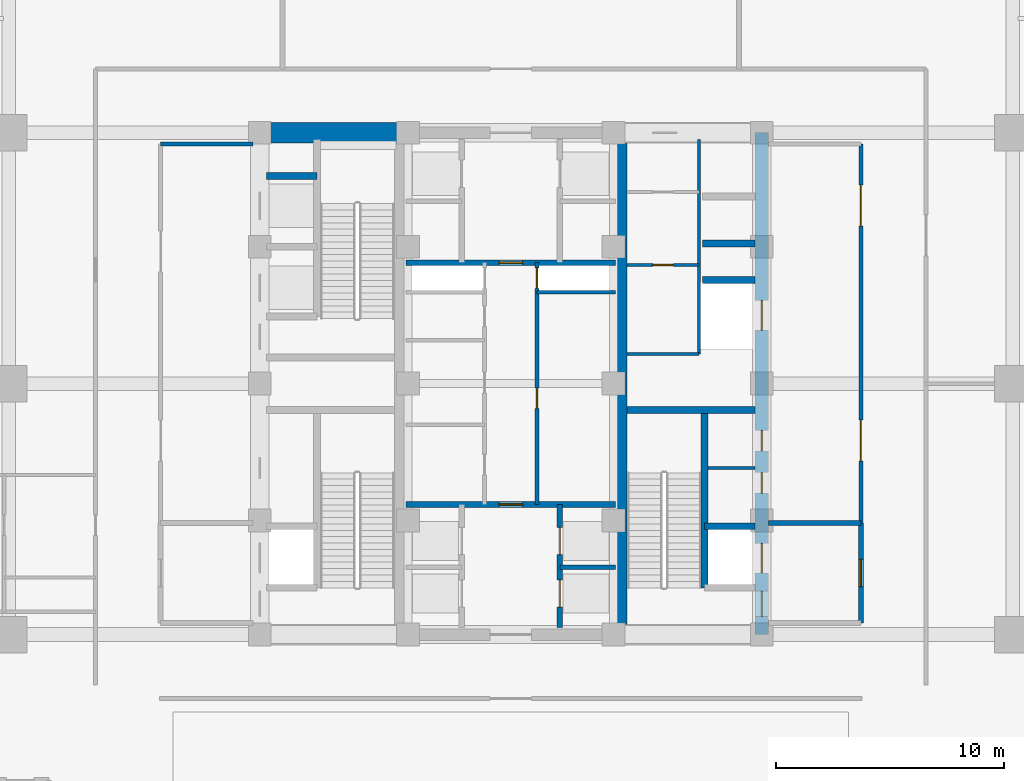
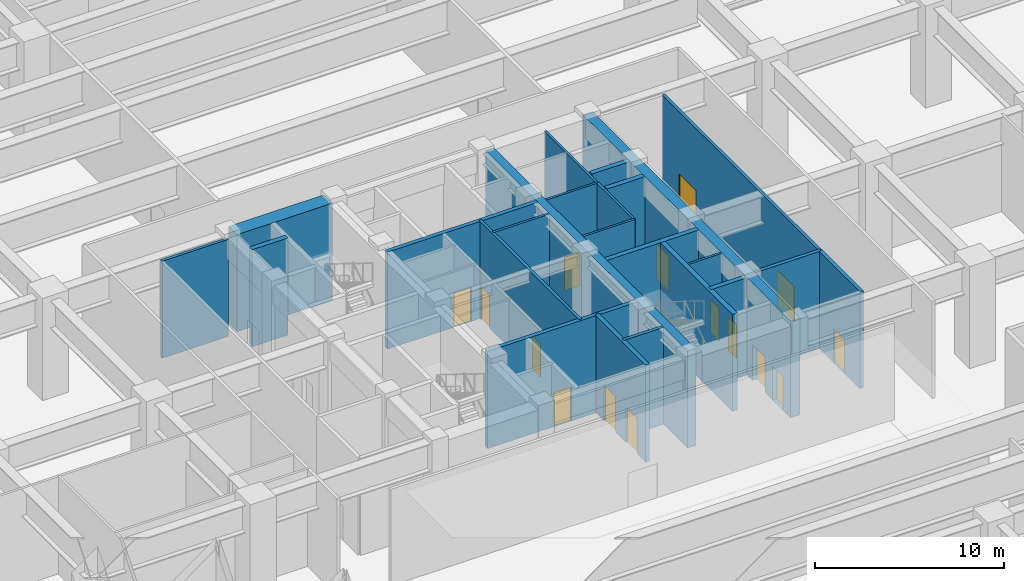
# One storey, part 10 of 21: 23 walls, 15 doors, 15 openings.
"""IFC4 building model written with IfcOpenShell, lengths in metres."""

from ifc_helpers import new_model, si_unit, direction, frame, frame_2d, origin, place, context, subcontext, project, spatial, rectangle, extrude, source, transform, mapped, material, layer, layer_set, type_object, element, fill, save


model = new_model("IFC4")

# Units and contexts
model_context = context("Model", 3, precision=1e-05, world=origin(), true_north=direction((0.0, 1.0)))
body_context = subcontext(model_context, "Body", "Model", "MODEL_VIEW")
ifc_project = project(units=[si_unit("LENGTHUNIT", "METRE"), si_unit("AREAUNIT", "SQUARE_METRE"), si_unit("VOLUMEUNIT", "CUBIC_METRE"), si_unit("PLANEANGLEUNIT", "RADIAN"), si_unit("MASSUNIT", "GRAM", prefix="KILO")], contexts=[model_context])

# Site, building, storey
site_placement = place(None, origin())
site = spatial("IfcSite", under=ifc_project, at=site_placement, CompositionType="ELEMENT")
building_placement = place(site_placement, origin())
building = spatial("IfcBuilding", under=site, at=building_placement, Name="Khorayat Bourse Tower", CompositionType="ELEMENT")
storey_placement = place(building_placement, origin())
storey = spatial("IfcBuildingStorey", under=building, at=storey_placement, Name="L00", CompositionType="ELEMENT", Elevation=0.0)

# Wall, openings, doors
ifc_material_1 = material(Name="Concrete C60/75", Category="concrete")
ifc_layer_1 = layer(ifc_material_1, 0.60009765625)
ifc_layer_set_1 = layer_set([ifc_layer_1], Name="Concrete C60/75")
wall_type_1 = type_object("IfcWallType", Name="WAL-CORE-600", PredefinedType="SHEAR", material=ifc_layer_set_1)
shared_shape_1 = source(origin(), body_context, "Body", "SweptSolid", [
    extrude(rectangle(XDim=22.0, YDim=0.60009765625, at=frame_2d((11.0, 0.0))), origin(), (0.0, 0.0, 1.0), 6.280029296875),
])
wall_1_placement = place(storey_placement, frame((11.0, -11.0, 0.0), z_axis=(0.0, 0.0, 1.0), x_axis=(0.0, 1.0, 0.0)))
wall_1 = element("IfcWall", 1, at=wall_1_placement, inside=storey, type_object=wall_type_1, Name="L00 Core Shear Wall CORE-E", PredefinedType="SHEAR", context=body_context, shape_type="MappedRepresentation", body=[
    mapped(shared_shape_1, transform((0.0, 0.0, 0.0), scale=1.0)),
])
shared_shape_2 = source(origin(), body_context, "Body", "SweptSolid", [
    extrude(rectangle(XDim=1.10009765625, YDim=2.199951171875, at=frame_2d((0.550048828125, 1.10009765625))), frame((0.0, 0.31005859375, 0.0), z_axis=(0.0, -1.0, 0.0), x_axis=(1.0, 0.0, 0.0)), (0.0, 0.0, 1.0), 0.6201171875),
])
opening_1_placement = place(wall_1_placement, frame((0.800048828125, 0.0, 0.0)))
opening_1 = element("IfcOpeningElement", 2, at=opening_1_placement, cuts=wall_1, Name="Opening DI-01", PredefinedType="OPENING", context=body_context, shape_type="MappedRepresentation", body=[
    mapped(shared_shape_2, transform((0.0, 0.0, 0.0), scale=1.0)),
])
shared_shape_3 = source(origin(), body_context, "Body", "SweptSolid", [
    extrude(rectangle(XDim=0.89990234375, YDim=2.14990234375, at=frame_2d((0.449951171875, 1.074951171875))), frame((0.0, 0.31005859375, 0.0), z_axis=(0.0, -1.0, 0.0), x_axis=(1.0, 0.0, 0.0)), (0.0, 0.0, 1.0), 0.6201171875),
])
opening_2_placement = place(wall_1_placement, frame((6.199951171875, 0.0, 0.0)))
opening_2 = element("IfcOpeningElement", 3, at=opening_2_placement, cuts=wall_1, Name="Opening DI-06", PredefinedType="OPENING", context=body_context, shape_type="MappedRepresentation", body=[
    mapped(shared_shape_3, transform((0.0, 0.0, 0.0), scale=1.0)),
])
opening_3_placement = place(wall_1_placement, frame((8.050048828125, 0.0, 0.0)))
opening_3 = element("IfcOpeningElement", 4, at=opening_3_placement, cuts=wall_1, Name="Opening DI-06", PredefinedType="OPENING", context=body_context, shape_type="MappedRepresentation", body=[
    mapped(shared_shape_3, transform((0.0, 0.0, 0.0), scale=1.0)),
])
shared_shape_4 = source(origin(), body_context, "Body", "SweptSolid", [
    extrude(rectangle(XDim=1.300048828125, YDim=2.300048828125, at=frame_2d((0.64990234375, 1.14990234375))), frame((0.0, 0.31005859375, 0.0), z_axis=(0.0, -1.0, 0.0), x_axis=(1.0, 0.0, 0.0)), (0.0, 0.0, 1.0), 0.6201171875),
])
opening_4_placement = place(wall_1_placement, frame((2.699951171875, 0.0, 0.0)))
opening_4 = element("IfcOpeningElement", 5, at=opening_4_placement, cuts=wall_1, Name="Opening LD-02", PredefinedType="OPENING", context=body_context, shape_type="MappedRepresentation", body=[
    mapped(shared_shape_4, transform((0.0, 0.0, 0.0), scale=1.0)),
])
opening_5_placement = place(wall_1_placement, frame((13.35009765625, 0.0, 0.0)))
opening_5 = element("IfcOpeningElement", 6, at=opening_5_placement, cuts=wall_1, Name="Opening LD-02", PredefinedType="OPENING", context=body_context, shape_type="MappedRepresentation", body=[
    mapped(shared_shape_4, transform((0.0, 0.0, 0.0), scale=1.0)),
])
ifc_material_2 = material(Name="Fire-rated steel acoustic leaf", Category="steel")
door_type_1 = type_object("IfcDoorType", Name="DR-INT-STAIR-1100", OperationType="NOTDEFINED", PredefinedType="DOOR", material=ifc_material_2)
shared_shape_5 = source(origin(), body_context, "Body", "SweptSolid", [
    extrude(rectangle(XDim=1.10009765625, YDim=2.199951171875, at=frame_2d((0.550048828125, 1.10009765625))), frame((0.0, 0.02490234375, 0.0), z_axis=(0.0, -1.0, 0.0), x_axis=(1.0, 0.0, 0.0)), (0.0, 0.0, 1.0), 0.050048828125),
])
door_1_placement = place(opening_1_placement, origin())
door_1 = element("IfcDoor", 7, at=door_1_placement, inside=storey, type_object=door_type_1, Name="L00 Exit Stair 3 Door", OperationType="SINGLE_SWING_RIGHT", OverallHeight=2.199951171875, OverallWidth=1.10009765625, PredefinedType="DOOR", context=body_context, shape_type="MappedRepresentation", body=[
    mapped(shared_shape_5, transform((0.0, 0.0, 0.0), scale=1.0)),
])
fill(opening_1, door_1)
ifc_material_3 = material(Name="Moisture-resistant laminate washroom door")
door_type_2 = type_object("IfcDoorType", Name="DR-INT-WC-900", OperationType="NOTDEFINED", PredefinedType="DOOR", material=ifc_material_3)
shared_shape_6 = source(origin(), body_context, "Body", "SweptSolid", [
    extrude(rectangle(XDim=0.89990234375, YDim=2.14990234375, at=frame_2d((0.449951171875, 1.074951171875))), frame((0.0, 0.02490234375, 0.0), z_axis=(0.0, -1.0, 0.0), x_axis=(1.0, 0.0, 0.0)), (0.0, 0.0, 1.0), 0.050048828125),
])
door_2_placement = place(opening_2_placement, origin())
door_2 = element("IfcDoor", 8, at=door_2_placement, inside=storey, type_object=door_type_2, Name="L00 Comms Closet Door", OperationType="SINGLE_SWING_LEFT", OverallHeight=2.14990234375, OverallWidth=0.89990234375, PredefinedType="DOOR", context=body_context, shape_type="MappedRepresentation", body=[
    mapped(shared_shape_6, transform((0.0, 0.0, 0.0), scale=1.0)),
])
fill(opening_2, door_2)
door_3_placement = place(opening_3_placement, origin())
door_3 = element("IfcDoor", 9, at=door_3_placement, inside=storey, type_object=door_type_2, Name="L00 Cleaner Store Door", OperationType="SINGLE_SWING_RIGHT", OverallHeight=2.14990234375, OverallWidth=0.89990234375, PredefinedType="DOOR", context=body_context, shape_type="MappedRepresentation", body=[
    mapped(shared_shape_6, transform((0.0, 0.0, 0.0), scale=1.0)),
])
fill(opening_3, door_3)
ifc_material_4 = material(Name="Fire-rated stainless-steel sliding landing door", Category="steel")
door_type_3 = type_object("IfcDoorType", Name="DR-LIFT-FF-1300", OperationType="NOTDEFINED", PredefinedType="DOOR", material=ifc_material_4)
shared_shape_7 = source(origin(), body_context, "Body", "SweptSolid", [
    extrude(rectangle(XDim=1.300048828125, YDim=2.300048828125, at=frame_2d((0.64990234375, 1.14990234375))), frame((0.0, 0.02490234375, 0.0), z_axis=(0.0, -1.0, 0.0), x_axis=(1.0, 0.0, 0.0)), (0.0, 0.0, 1.0), 0.050048828125),
])
door_4_placement = place(opening_4_placement, origin())
door_4 = element("IfcDoor", 10, at=door_4_placement, inside=storey, type_object=door_type_3, Name="L00 Lift FFL-02 Sliding Landing Door", OperationType="SLIDING_TO_LEFT", OverallHeight=2.300048828125, OverallWidth=1.300048828125, PredefinedType="DOOR", context=body_context, shape_type="MappedRepresentation", body=[
    mapped(shared_shape_7, transform((0.0, 0.0, 0.0), scale=1.0)),
])
fill(opening_4, door_4)
door_5_placement = place(opening_5_placement, origin())
door_5 = element("IfcDoor", 11, at=door_5_placement, inside=storey, type_object=door_type_3, Name="L00 Lift SVL-01 Sliding Landing Door", OperationType="SLIDING_TO_LEFT", OverallHeight=2.300048828125, OverallWidth=1.300048828125, PredefinedType="DOOR", context=body_context, shape_type="MappedRepresentation", body=[
    mapped(shared_shape_7, transform((0.0, 0.0, 0.0), scale=1.0)),
])
fill(opening_5, door_5)

# Walls
ifc_material_5 = material(Name="Concrete C52/65", Category="concrete")
ifc_layer_2 = layer(ifc_material_5, 0.5)
ifc_layer_set_2 = layer_set([ifc_layer_2], Name="Concrete C52/65")
wall_type_2 = type_object("IfcWallType", Name="WAL-CORE-500", PredefinedType="SHEAR", material=ifc_layer_set_2)
shared_shape_8 = source(origin(), body_context, "Body", "SweptSolid", [
    extrude(rectangle(XDim=21.39990234375, YDim=0.5, at=frame_2d((10.699951171875, 0.0))), origin(), (0.0, 0.0, 1.0), 6.280029296875),
])
wall_2_placement = place(storey_placement, frame((4.85009765625, -10.699951171875, 0.0), z_axis=(0.0, 0.0, 1.0), x_axis=(0.0, 1.0, 0.0)))
element("IfcWall", 12, at=wall_2_placement, inside=storey, type_object=wall_type_2, Name="L00 Core Shear Wall PIER-E", PredefinedType="SHEAR", context=body_context, shape_type="MappedRepresentation", body=[
    mapped(shared_shape_8, transform((0.0, 0.0, 0.0), scale=1.0)),
])
ifc_material_6 = material(Name="Concrete C72/90", Category="concrete")
ifc_layer_3 = layer(ifc_material_6, 0.89990234375)
ifc_layer_set_3 = layer_set([ifc_layer_3], Name="Concrete C72/90")
wall_type_3 = type_object("IfcWallType", Name="WAL-CORE-900", PredefinedType="SHEAR", material=ifc_layer_set_3)
shared_shape_9 = source(origin(), body_context, "Body", "SweptSolid", [
    extrude(rectangle(XDim=5.849853515625, YDim=0.89990234375, at=frame_2d((2.9248046875, 0.0))), origin(), (0.0, 0.0, 1.0), 6.280029296875),
])
wall_3_placement = place(storey_placement, frame((-10.699951171875, 11.0, 0.0), z_axis=(0.0, 0.0, 1.0), x_axis=(1.0, 0.0, 0.0)))
element("IfcWall", 13, at=wall_3_placement, inside=storey, type_object=wall_type_3, Name="L00 Core Shear Wall PIER-WN", PredefinedType="SHEAR", context=body_context, shape_type="MappedRepresentation", body=[
    mapped(shared_shape_9, transform((0.0, 0.0, 0.0), scale=1.0)),
])
ifc_material_7 = material(Name="Concrete C50/60", Category="concrete")
ifc_layer_4 = layer(ifc_material_7, 0.300048828125)
ifc_layer_set_4 = layer_set([ifc_layer_4], Name="Concrete C50/60")
wall_type_4 = type_object("IfcWallType", Name="WAL-SHAFT-300", PredefinedType="SHEAR", material=ifc_layer_set_4)
shared_shape_10 = source(origin(), body_context, "Body", "SweptSolid", [
    extrude(rectangle(XDim=5.599853515625, YDim=0.300048828125, at=frame_2d((2.7998046875, 0.0))), origin(), (0.0, 0.0, 1.0), 6.280029296875),
])
wall_4_placement = place(storey_placement, frame((5.10009765625, -1.14990234375, 0.0), z_axis=(0.0, 0.0, 1.0), x_axis=(1.0, 0.0, 0.0)))
element("IfcWall", 14, at=wall_4_placement, inside=storey, type_object=wall_type_4, Name="L00 Core Shear Wall ST3-DIV", PredefinedType="SHEAR", context=body_context, shape_type="MappedRepresentation", body=[
    mapped(shared_shape_10, transform((0.0, 0.0, 0.0), scale=1.0)),
])
shared_shape_11 = source(origin(), body_context, "Body", "SweptSolid", [
    extrude(rectangle(XDim=7.800048828125, YDim=0.300048828125, at=frame_2d((3.89990234375, 0.0))), origin(), (0.0, 0.0, 1.0), 6.280029296875),
])
wall_5_placement = place(storey_placement, frame((8.5, -8.949951171875, 0.0), z_axis=(0.0, 0.0, 1.0), x_axis=(0.0, 1.0, 0.0)))
element("IfcWall", 15, at=wall_5_placement, inside=storey, type_object=wall_type_4, Name="L00 Partition WAL-L00-EPIER-SP", PredefinedType="SHEAR", context=body_context, shape_type="MappedRepresentation", body=[
    mapped(shared_shape_11, transform((0.0, 0.0, 0.0), scale=1.0)),
])
shared_shape_12 = source(origin(), body_context, "Body", "SweptSolid", [
    extrude(rectangle(XDim=2.199951171875, YDim=0.300048828125, at=frame_2d((1.10009765625, 0.0))), origin(), (0.0, 0.0, 1.0), 6.280029296875),
])
for number, where, z_axis, x_axis, name in (
    (16, (-10.699951171875, 9.10009765625, 0.0), (0.0, 0.0, 1.0), (1.0, 0.0, 0.0), "L00 Partition WAL-L00-WPIER-H2N"),
    (17, (8.5, -6.25, 0.0), (0.0, 0.0, 1.0), (1.0, 0.0, 0.0), "L00 Partition WAL-L00-EPIER-FF2N"),
):
    element("IfcWall", number, at=place(storey_placement, frame(where, z_axis=z_axis, x_axis=x_axis)), inside=storey, type_object=wall_type_4, Name=name, PredefinedType="SHEAR", context=body_context, shape_type="MappedRepresentation", body=[
        mapped(shared_shape_12, transform((0.0, 0.0, 0.0), scale=1.0)),
    ])
shared_shape_13 = source(origin(), body_context, "Body", "SweptSolid", [
    extrude(rectangle(XDim=2.300048828125, YDim=0.300048828125, at=frame_2d((1.14990234375, 0.0))), origin(), (0.0, 0.0, 1.0), 6.280029296875),
])
for number, where, z_axis, x_axis, name in (
    (18, (8.39990234375, 4.550048828125, 0.0), (0.0, 0.0, 1.0), (1.0, 0.0, 0.0), "L00 Partition WAL-L00-EPIER-SVLN"),
    (19, (8.39990234375, 6.14990234375, 0.0), (0.0, 0.0, 1.0), (1.0, 0.0, 0.0), "L00 Partition WAL-L00-EPIER-H3S"),
):
    element("IfcWall", number, at=place(storey_placement, frame(where, z_axis=z_axis, x_axis=x_axis)), inside=storey, type_object=wall_type_4, Name=name, PredefinedType="SHEAR", context=body_context, shape_type="MappedRepresentation", body=[
        mapped(shared_shape_13, transform((0.0, 0.0, 0.0), scale=1.0)),
    ])
ifc_material_8 = material(Name="Gypsum plasterboard twin-frame partition")
ifc_layer_5 = layer(ifc_material_8, 0.14990234375)
ifc_layer_set_5 = layer_set([ifc_layer_5], Name="Gypsum plasterboard twin-frame partition")
wall_type_5 = type_object("IfcWallType", Name="WAL-PART-SUITE-150", PredefinedType="PARTITIONING", material=ifc_layer_set_5)
shared_shape_14 = source(origin(), body_context, "Body", "SweptSolid", [
    extrude(rectangle(XDim=2.050048828125, YDim=0.14990234375, at=frame_2d((1.02490234375, 0.0))), origin(), (0.0, 0.0, 1.0), 6.280029296875),
])
wall_6_placement = place(storey_placement, frame((8.64990234375, -3.699951171875, 0.0), z_axis=(0.0, 0.0, 1.0), x_axis=(1.0, 0.0, 0.0)))
element("IfcWall", 20, at=wall_6_placement, inside=storey, type_object=wall_type_5, Name="L00 Partition WAL-L00-ESRV-D1", PredefinedType="PARTITIONING", context=body_context, shape_type="MappedRepresentation", body=[
    mapped(shared_shape_14, transform((0.0, 0.0, 0.0), scale=1.0)),
])
ifc_material_9 = material(Name="Moisture-resistant masonry partition", Category="masonry")
ifc_layer_6 = layer(ifc_material_9, 0.139892578125)
ifc_layer_set_6 = layer_set([ifc_layer_6], Name="Moisture-resistant masonry partition")
wall_type_6 = type_object("IfcWallType", Name="WAL-PART-WET-140", PredefinedType="PARTITIONING", material=ifc_layer_set_6)
shared_shape_15 = source(origin(), body_context, "Body", "SweptSolid", [
    extrude(rectangle(XDim=9.39990234375, YDim=0.139892578125, at=frame_2d((4.699951171875, 0.0))), origin(), (0.0, 0.0, 1.0), 6.280029296875),
])
wall_7_placement = place(storey_placement, frame((8.25, 1.300048828125, 0.0), z_axis=(0.0, 0.0, 1.0), x_axis=(0.0, 1.0, 0.0)))
element("IfcWall", 21, at=wall_7_placement, inside=storey, type_object=wall_type_6, Name="L00 Partition WAL-L00-ECORE-E", PredefinedType="PARTITIONING", context=body_context, shape_type="MappedRepresentation", body=[
    mapped(shared_shape_15, transform((0.0, 0.0, 0.0), scale=1.0)),
])
shared_shape_16 = source(origin(), body_context, "Body", "SweptSolid", [
    extrude(rectangle(XDim=3.14990234375, YDim=0.139892578125, at=frame_2d((1.574951171875, 0.0))), origin(), (0.0, 0.0, 1.0), 6.280029296875),
])
wall_8_placement = place(storey_placement, frame((5.10009765625, 1.300048828125, 0.0), z_axis=(0.0, 0.0, 1.0), x_axis=(1.0, 0.0, 0.0)))
element("IfcWall", 22, at=wall_8_placement, inside=storey, type_object=wall_type_6, Name="L00 Partition WAL-L00-ECORE-S", PredefinedType="PARTITIONING", context=body_context, shape_type="MappedRepresentation", body=[
    mapped(shared_shape_16, transform((0.0, 0.0, 0.0), scale=1.0)),
])

# Wall, opening, door
wall_9_placement = place(storey_placement, frame((5.10009765625, 5.199951171875, 0.0), z_axis=(0.0, 0.0, 1.0), x_axis=(1.0, 0.0, 0.0)))
wall_9 = element("IfcWall", 23, at=wall_9_placement, inside=storey, type_object=wall_type_6, Name="L00 Partition WAL-L00-ECW-HZ", PredefinedType="PARTITIONING", context=body_context, shape_type="MappedRepresentation", body=[
    mapped(shared_shape_16, transform((0.0, 0.0, 0.0), scale=1.0)),
])
shared_shape_17 = source(origin(), body_context, "Body", "SweptSolid", [
    extrude(rectangle(XDim=0.89990234375, YDim=2.14990234375, at=frame_2d((0.449951171875, 1.074951171875))), frame((0.0, 0.079833984375, 0.0), z_axis=(0.0, -1.0, 0.0), x_axis=(1.0, 0.0, 0.0)), (0.0, 0.0, 1.0), 0.159912109375),
])
opening_6_placement = place(wall_9_placement, frame((1.1298828125, 0.0, 0.0)))
opening_6 = element("IfcOpeningElement", 24, at=opening_6_placement, cuts=wall_9, Name="Opening DI-06", PredefinedType="OPENING", context=body_context, shape_type="MappedRepresentation", body=[
    mapped(shared_shape_17, transform((0.0, 0.0, 0.0), scale=1.0)),
])
door_6_placement = place(opening_6_placement, origin())
door_6 = element("IfcDoor", 25, at=door_6_placement, inside=storey, type_object=door_type_2, Name="L00 Shared Washroom Door", OperationType="SINGLE_SWING_RIGHT", OverallHeight=2.14990234375, OverallWidth=0.89990234375, PredefinedType="DOOR", context=body_context, shape_type="MappedRepresentation", body=[
    mapped(shared_shape_6, transform((0.0, 0.0, 0.0), scale=1.0)),
])
fill(opening_6, door_6)

# Wall
ifc_material_10 = material(Name="Aerated concrete blockwork", Category="masonry")
ifc_layer_7 = layer(ifc_material_10, 0.219970703125)
ifc_layer_set_7 = layer_set([ifc_layer_7], Name="Aerated concrete blockwork")
wall_type_7 = type_object("IfcWallType", Name="WAL-PART-FF-220", PredefinedType="PARTITIONING", material=ifc_layer_set_7)
shared_shape_18 = source(origin(), body_context, "Body", "SweptSolid", [
    extrude(rectangle(XDim=4.050048828125, YDim=0.219970703125, at=frame_2d((2.02490234375, 0.0))), origin(), (0.0, 0.0, 1.0), 6.280029296875),
])
wall_10_placement = place(storey_placement, frame((11.300048828125, -6.10009765625, 0.0), z_axis=(0.0, 0.0, 1.0), x_axis=(1.0, 0.0, 0.0)))
element("IfcWall", 26, at=wall_10_placement, inside=storey, type_object=wall_type_7, Name="L00 Partition WAL-L00-FFLE-N", PredefinedType="PARTITIONING", context=body_context, shape_type="MappedRepresentation", body=[
    mapped(shared_shape_18, transform((0.0, 0.0, 0.0), scale=1.0)),
])

# Wall, opening, door
shared_shape_19 = source(origin(), body_context, "Body", "SweptSolid", [
    extrude(rectangle(XDim=4.39990234375, YDim=0.219970703125, at=frame_2d((2.199951171875, 0.0))), origin(), (0.0, 0.0, 1.0), 6.280029296875),
])
wall_11_placement = place(storey_placement, frame((15.35009765625, -10.5, 0.0), z_axis=(0.0, 0.0, 1.0), x_axis=(0.0, 1.0, 0.0)))
wall_11 = element("IfcWall", 27, at=wall_11_placement, inside=storey, type_object=wall_type_7, Name="L00 Partition WAL-L00-FFLE-E", PredefinedType="PARTITIONING", context=body_context, shape_type="MappedRepresentation", body=[
    mapped(shared_shape_19, transform((0.0, 0.0, 0.0), scale=1.0)),
])
shared_shape_20 = source(origin(), body_context, "Body", "SweptSolid", [
    extrude(rectangle(XDim=1.199951171875, YDim=2.199951171875, at=frame_2d((0.60009765625, 1.10009765625))), frame((0.0, 0.119873046875, 0.0), z_axis=(0.0, -1.0, 0.0), x_axis=(1.0, 0.0, 0.0)), (0.0, 0.0, 1.0), 0.239990234375),
])
opening_7_placement = place(wall_11_placement, frame((1.60009765625, 0.0, 0.0)))
opening_7 = element("IfcOpeningElement", 28, at=opening_7_placement, cuts=wall_11, Name="Opening DI-02", PredefinedType="OPENING", context=body_context, shape_type="MappedRepresentation", body=[
    mapped(shared_shape_20, transform((0.0, 0.0, 0.0), scale=1.0)),
])
ifc_material_11 = material(Name="Fire-rated steel double-seal leaf", Category="steel")
door_type_4 = type_object("IfcDoorType", Name="DR-INT-FFLOBBY-1200", OperationType="NOTDEFINED", PredefinedType="DOOR", material=ifc_material_11)
shared_shape_21 = source(origin(), body_context, "Body", "SweptSolid", [
    extrude(rectangle(XDim=1.199951171875, YDim=2.199951171875, at=frame_2d((0.60009765625, 1.10009765625))), frame((0.0, 0.02490234375, 0.0), z_axis=(0.0, -1.0, 0.0), x_axis=(1.0, 0.0, 0.0)), (0.0, 0.0, 1.0), 0.050048828125),
])
door_7_placement = place(opening_7_placement, origin())
door_7 = element("IfcDoor", 29, at=door_7_placement, inside=storey, type_object=door_type_4, Name="L00 East Firefighting Lobby Door", OperationType="SINGLE_SWING_RIGHT", OverallHeight=2.199951171875, OverallWidth=1.199951171875, PredefinedType="DOOR", context=body_context, shape_type="MappedRepresentation", body=[
    mapped(shared_shape_21, transform((0.0, 0.0, 0.0), scale=1.0)),
])
fill(opening_7, door_7)

# Wall
ifc_material_12 = material(Name="Gypsum plasterboard acoustic stud wall")
ifc_layer_8 = layer(ifc_material_12, 0.179931640625)
ifc_layer_set_8 = layer_set([ifc_layer_8], Name="Gypsum plasterboard acoustic stud wall")
wall_type_8 = type_object("IfcWallType", Name="WAL-PART-CORR-180", PredefinedType="PARTITIONING", material=ifc_layer_set_8)
shared_shape_22 = source(origin(), body_context, "Body", "SweptSolid", [
    extrude(rectangle(XDim=4.050048828125, YDim=0.179931640625, at=frame_2d((2.02490234375, 0.0))), origin(), (0.0, 0.0, 1.0), 6.280029296875),
])
wall_12_placement = place(storey_placement, frame((-15.35009765625, 10.5, 0.0), z_axis=(0.0, 0.0, 1.0), x_axis=(1.0, 0.0, 0.0)))
element("IfcWall", 30, at=wall_12_placement, inside=storey, type_object=wall_type_8, Name="L00 Partition WAL-L00-WLOB-N", PredefinedType="PARTITIONING", context=body_context, shape_type="MappedRepresentation", body=[
    mapped(shared_shape_22, transform((0.0, 0.0, 0.0), scale=1.0)),
])

# Wall, openings, doors
shared_shape_23 = source(origin(), body_context, "Body", "SweptSolid", [
    extrude(rectangle(XDim=16.60009765625, YDim=0.179931640625, at=frame_2d((8.300048828125, 0.0))), origin(), (0.0, 0.0, 1.0), 6.280029296875),
])
wall_13_placement = place(storey_placement, frame((15.35009765625, -6.10009765625, 0.0), z_axis=(0.0, 0.0, 1.0), x_axis=(0.0, 1.0, 0.0)))
wall_13 = element("IfcWall", 31, at=wall_13_placement, inside=storey, type_object=wall_type_8, Name="L00 Partition WAL-L00-ELOB-E", PredefinedType="PARTITIONING", context=body_context, shape_type="MappedRepresentation", body=[
    mapped(shared_shape_23, transform((0.0, 0.0, 0.0), scale=1.0)),
])
shared_shape_24 = source(origin(), body_context, "Body", "SweptSolid", [
    extrude(rectangle(XDim=1.800048828125, YDim=2.25, at=frame_2d((0.89990234375, 1.125))), frame((0.0, 0.099853515625, 0.0), z_axis=(0.0, -1.0, 0.0), x_axis=(1.0, 0.0, 0.0)), (0.0, 0.0, 1.0), 0.199951171875),
])
opening_8_placement = place(wall_13_placement, frame((2.699951171875, 0.0, 0.0)))
opening_8 = element("IfcOpeningElement", 32, at=opening_8_placement, cuts=wall_13, Name="Opening DI-03", PredefinedType="OPENING", context=body_context, shape_type="MappedRepresentation", body=[
    mapped(shared_shape_24, transform((0.0, 0.0, 0.0), scale=1.0)),
])
opening_9_placement = place(wall_13_placement, frame((13.0, 0.0, 0.0)))
opening_9 = element("IfcOpeningElement", 33, at=opening_9_placement, cuts=wall_13, Name="Opening DI-03", PredefinedType="OPENING", context=body_context, shape_type="MappedRepresentation", body=[
    mapped(shared_shape_24, transform((0.0, 0.0, 0.0), scale=1.0)),
])
ifc_material_13 = material(Name="Fire-rated hardwood vision-panel double leaf", Category="wood")
door_type_5 = type_object("IfcDoorType", Name="DR-INT-CORR-1800", OperationType="NOTDEFINED", PredefinedType="DOOR", material=ifc_material_13)
shared_shape_25 = source(origin(), body_context, "Body", "SweptSolid", [
    extrude(rectangle(XDim=1.800048828125, YDim=2.25, at=frame_2d((0.89990234375, 1.125))), frame((0.0, 0.02490234375, 0.0), z_axis=(0.0, -1.0, 0.0), x_axis=(1.0, 0.0, 0.0)), (0.0, 0.0, 1.0), 0.050048828125),
])
door_8_placement = place(opening_8_placement, origin())
door_8 = element("IfcDoor", 34, at=door_8_placement, inside=storey, type_object=door_type_5, Name="L00 East Core Lobby South Door", OperationType="SINGLE_SWING_RIGHT", OverallHeight=2.25, OverallWidth=1.800048828125, PredefinedType="DOOR", context=body_context, shape_type="MappedRepresentation", body=[
    mapped(shared_shape_25, transform((0.0, 0.0, 0.0), scale=1.0)),
])
fill(opening_8, door_8)
door_9_placement = place(opening_9_placement, origin())
door_9 = element("IfcDoor", 35, at=door_9_placement, inside=storey, type_object=door_type_5, Name="L00 East Core Lobby North Door", OperationType="SINGLE_SWING_LEFT", OverallHeight=2.25, OverallWidth=1.800048828125, PredefinedType="DOOR", context=body_context, shape_type="MappedRepresentation", body=[
    mapped(shared_shape_25, transform((0.0, 0.0, 0.0), scale=1.0)),
])
fill(opening_9, door_9)

# Wall
shared_shape_26 = source(origin(), body_context, "Body", "SweptSolid", [
    extrude(rectangle(XDim=3.4501953125, YDim=0.14990234375, at=frame_2d((1.72509765625, 0.0))), origin(), (0.0, 0.0, 1.0), 6.280029296875),
])
wall_14_placement = place(storey_placement, frame((1.14990234375, 4.0, 0.0), z_axis=(0.0, 0.0, 1.0), x_axis=(1.0, 0.0, 0.0)))
element("IfcWall", 36, at=wall_14_placement, inside=storey, type_object=wall_type_5, Name="L00 Partition WAL-L00-CRSE-S", PredefinedType="PARTITIONING", context=body_context, shape_type="MappedRepresentation", body=[
    mapped(shared_shape_26, transform((0.0, 0.0, 0.0), scale=1.0)),
])

# Wall, openings, doors
shared_shape_27 = source(origin(), body_context, "Body", "SweptSolid", [
    extrude(rectangle(XDim=5.39990234375, YDim=0.25, at=frame_2d((2.699951171875, 0.0))), origin(), (0.0, 0.0, 1.0), 6.280029296875),
])
wall_15_placement = place(storey_placement, frame((2.14990234375, -10.699951171875, 0.0), z_axis=(0.0, 0.0, 1.0), x_axis=(0.0, 1.0, 0.0)))
wall_15 = element("IfcWall", 37, at=wall_15_placement, inside=storey, type_object=wall_type_4, Name="L00 Partition WAL-L00-B1-E", PredefinedType="SHEAR", context=body_context, shape_type="MappedRepresentation", body=[
    mapped(shared_shape_27, transform((0.0, 0.0, 0.0), scale=1.0)),
])
shared_shape_28 = source(origin(), body_context, "Body", "SweptSolid", [
    extrude(rectangle(XDim=1.199951171875, YDim=2.300048828125, at=frame_2d((0.60009765625, 1.14990234375))), frame((0.0, 0.135009765625, 0.0), z_axis=(0.0, -1.0, 0.0), x_axis=(1.0, 0.0, 0.0)), (0.0, 0.0, 1.0), 0.27001953125),
])
opening_10_placement = place(wall_15_placement, frame((0.89990234375, 0.0, 0.0)))
opening_10 = element("IfcOpeningElement", 38, at=opening_10_placement, cuts=wall_15, Name="Opening LD-01", PredefinedType="OPENING", context=body_context, shape_type="MappedRepresentation", body=[
    mapped(shared_shape_28, transform((0.0, 0.0, 0.0), scale=1.0)),
])
opening_11_placement = place(wall_15_placement, frame((3.199951171875, 0.0, 0.0)))
opening_11 = element("IfcOpeningElement", 39, at=opening_11_placement, cuts=wall_15, Name="Opening LD-01", PredefinedType="OPENING", context=body_context, shape_type="MappedRepresentation", body=[
    mapped(shared_shape_28, transform((0.0, 0.0, 0.0), scale=1.0)),
])
ifc_material_14 = material(Name="Brushed bronze stainless-steel sliding door", Category="steel")
door_type_6 = type_object("IfcDoorType", Name="DR-LIFT-PASS-1200", OperationType="NOTDEFINED", PredefinedType="DOOR", material=ifc_material_14)
shared_shape_29 = source(origin(), body_context, "Body", "SweptSolid", [
    extrude(rectangle(XDim=1.199951171875, YDim=2.300048828125, at=frame_2d((0.60009765625, 1.14990234375))), frame((0.0, 0.02490234375, 0.0), z_axis=(0.0, -1.0, 0.0), x_axis=(1.0, 0.0, 0.0)), (0.0, 0.0, 1.0), 0.050048828125),
])
door_10_placement = place(opening_10_placement, origin())
door_10 = element("IfcDoor", 40, at=door_10_placement, inside=storey, type_object=door_type_6, Name="L00 Lift PL-L2 Sliding Landing Door", OperationType="SLIDING_TO_LEFT", OverallHeight=2.300048828125, OverallWidth=1.199951171875, PredefinedType="DOOR", context=body_context, shape_type="MappedRepresentation", body=[
    mapped(shared_shape_29, transform((0.0, 0.0, 0.0), scale=1.0)),
])
fill(opening_10, door_10)
door_11_placement = place(opening_11_placement, origin())
door_11 = element("IfcDoor", 41, at=door_11_placement, inside=storey, type_object=door_type_6, Name="L00 Lift PL-L4 Sliding Landing Door", OperationType="SLIDING_TO_LEFT", OverallHeight=2.300048828125, OverallWidth=1.199951171875, PredefinedType="DOOR", context=body_context, shape_type="MappedRepresentation", body=[
    mapped(shared_shape_29, transform((0.0, 0.0, 0.0), scale=1.0)),
])
fill(opening_11, door_11)

# Wall
shared_shape_30 = source(origin(), body_context, "Body", "SweptSolid", [
    extrude(rectangle(XDim=2.4501953125, YDim=0.199951171875, at=frame_2d((1.22509765625, 0.0))), origin(), (0.0, 0.0, 1.0), 6.280029296875),
])
wall_16_placement = place(storey_placement, frame((2.14990234375, -8.050048828125, 0.0), z_axis=(0.0, 0.0, 1.0), x_axis=(1.0, 0.0, 0.0)))
element("IfcWall", 42, at=wall_16_placement, inside=storey, type_object=wall_type_4, Name="L00 Partition WAL-L00-B1-ME", PredefinedType="SHEAR", context=body_context, shape_type="MappedRepresentation", body=[
    mapped(shared_shape_30, transform((0.0, 0.0, 0.0), scale=1.0)),
])

# Wall, opening, door
shared_shape_31 = source(origin(), body_context, "Body", "SweptSolid", [
    extrude(rectangle(XDim=9.2001953125, YDim=0.25, at=frame_2d((4.60009765625, 0.0))), origin(), (0.0, 0.0, 1.0), 6.280029296875),
])
wall_17_placement = place(storey_placement, frame((-4.60009765625, -5.300048828125, 0.0), z_axis=(0.0, 0.0, 1.0), x_axis=(1.0, 0.0, 0.0)))
wall_17 = element("IfcWall", 43, at=wall_17_placement, inside=storey, type_object=wall_type_4, Name="L00 Partition WAL-L00-B1-N", PredefinedType="SHEAR", context=body_context, shape_type="MappedRepresentation", body=[
    mapped(shared_shape_31, transform((0.0, 0.0, 0.0), scale=1.0)),
])
shared_shape_32 = source(origin(), body_context, "Body", "SweptSolid", [
    extrude(rectangle(XDim=1.050048828125, YDim=2.199951171875, at=frame_2d((0.52490234375, 1.10009765625))), frame((0.0, 0.135009765625, 0.0), z_axis=(0.0, -1.0, 0.0), x_axis=(1.0, 0.0, 0.0)), (0.0, 0.0, 1.0), 0.27001953125),
])
opening_12_placement = place(wall_17_placement, frame((4.074951171875, 0.0, 0.0)))
opening_12 = element("IfcOpeningElement", 44, at=opening_12_placement, cuts=wall_17, Name="Opening DI-04", PredefinedType="OPENING", context=body_context, shape_type="MappedRepresentation", body=[
    mapped(shared_shape_32, transform((0.0, 0.0, 0.0), scale=1.0)),
])
ifc_material_15 = material(Name="Fire-rated oak veneer suite entrance door")
door_type_7 = type_object("IfcDoorType", Name="DR-INT-SUITE-1050", OperationType="NOTDEFINED", PredefinedType="DOOR", material=ifc_material_15)
shared_shape_33 = source(origin(), body_context, "Body", "SweptSolid", [
    extrude(rectangle(XDim=1.050048828125, YDim=2.199951171875, at=frame_2d((0.52490234375, 1.10009765625))), frame((0.0, 0.02490234375, 0.0), z_axis=(0.0, -1.0, 0.0), x_axis=(1.0, 0.0, 0.0)), (0.0, 0.0, 1.0), 0.050048828125),
])
door_12_placement = place(opening_12_placement, origin())
door_12 = element("IfcDoor", 45, at=door_12_placement, inside=storey, type_object=door_type_7, Name="L00 Core Spine South Door", OperationType="SINGLE_SWING_LEFT", OverallHeight=2.199951171875, OverallWidth=1.050048828125, PredefinedType="DOOR", context=body_context, shape_type="MappedRepresentation", body=[
    mapped(shared_shape_33, transform((0.0, 0.0, 0.0), scale=1.0)),
])
fill(opening_12, door_12)

wall_18_placement = place(storey_placement, frame((-4.60009765625, 5.300048828125, 0.0), z_axis=(0.0, 0.0, 1.0), x_axis=(1.0, 0.0, 0.0)))
wall_18 = element("IfcWall", 46, at=wall_18_placement, inside=storey, type_object=wall_type_4, Name="L00 Partition WAL-L00-B2-S", PredefinedType="SHEAR", context=body_context, shape_type="MappedRepresentation", body=[
    mapped(shared_shape_31, transform((0.0, 0.0, 0.0), scale=1.0)),
])
opening_13_placement = place(wall_18_placement, frame((4.074951171875, 0.0, 0.0)))
opening_13 = element("IfcOpeningElement", 47, at=opening_13_placement, cuts=wall_18, Name="Opening DI-04", PredefinedType="OPENING", context=body_context, shape_type="MappedRepresentation", body=[
    mapped(shared_shape_32, transform((0.0, 0.0, 0.0), scale=1.0)),
])
door_13_placement = place(opening_13_placement, origin())
door_13 = element("IfcDoor", 48, at=door_13_placement, inside=storey, type_object=door_type_7, Name="L00 Core Spine North Door", OperationType="SINGLE_SWING_RIGHT", OverallHeight=2.199951171875, OverallWidth=1.050048828125, PredefinedType="DOOR", context=body_context, shape_type="MappedRepresentation", body=[
    mapped(shared_shape_33, transform((0.0, 0.0, 0.0), scale=1.0)),
])
fill(opening_13, door_13)

# Wall, openings, doors
shared_shape_34 = source(origin(), body_context, "Body", "SweptSolid", [
    extrude(rectangle(XDim=10.60009765625, YDim=0.179931640625, at=frame_2d((5.300048828125, 0.0))), origin(), (0.0, 0.0, 1.0), 6.280029296875),
])
wall_19_placement = place(storey_placement, frame((1.14990234375, -5.300048828125, 0.0), z_axis=(0.0, 0.0, 1.0), x_axis=(0.0, 1.0, 0.0)))
wall_19 = element("IfcWall", 49, at=wall_19_placement, inside=storey, type_object=wall_type_8, Name="L00 Partition WAL-L00-CME-L", PredefinedType="PARTITIONING", context=body_context, shape_type="MappedRepresentation", body=[
    mapped(shared_shape_34, transform((0.0, 0.0, 0.0), scale=1.0)),
])
shared_shape_35 = source(origin(), body_context, "Body", "SweptSolid", [
    extrude(rectangle(XDim=0.89990234375, YDim=2.14990234375, at=frame_2d((0.449951171875, 1.074951171875))), frame((0.0, 0.099853515625, 0.0), z_axis=(0.0, -1.0, 0.0), x_axis=(1.0, 0.0, 0.0)), (0.0, 0.0, 1.0), 0.199951171875),
])
opening_14_placement = place(wall_19_placement, frame((4.199951171875, 0.0, 0.0)))
opening_14 = element("IfcOpeningElement", 50, at=opening_14_placement, cuts=wall_19, Name="Opening DI-06", PredefinedType="OPENING", context=body_context, shape_type="MappedRepresentation", body=[
    mapped(shared_shape_35, transform((0.0, 0.0, 0.0), scale=1.0)),
])
opening_15_placement = place(wall_19_placement, frame((9.47509765625, 0.0, 0.0)))
opening_15 = element("IfcOpeningElement", 51, at=opening_15_placement, cuts=wall_19, Name="Opening DI-06", PredefinedType="OPENING", context=body_context, shape_type="MappedRepresentation", body=[
    mapped(shared_shape_35, transform((0.0, 0.0, 0.0), scale=1.0)),
])
door_14_placement = place(opening_14_placement, origin())
door_14 = element("IfcDoor", 52, at=door_14_placement, inside=storey, type_object=door_type_2, Name="L00 Female Core Washroom Door", OperationType="SINGLE_SWING_RIGHT", OverallHeight=2.14990234375, OverallWidth=0.89990234375, PredefinedType="DOOR", context=body_context, shape_type="MappedRepresentation", body=[
    mapped(shared_shape_6, transform((0.0, 0.0, 0.0), scale=1.0)),
])
fill(opening_14, door_14)
door_15_placement = place(opening_15_placement, origin())
door_15 = element("IfcDoor", 53, at=door_15_placement, inside=storey, type_object=door_type_2, Name="L00 East Core Riser Door", OperationType="SINGLE_SWING_RIGHT", OverallHeight=2.14990234375, OverallWidth=0.89990234375, PredefinedType="DOOR", context=body_context, shape_type="MappedRepresentation", body=[
    mapped(shared_shape_6, transform((0.0, 0.0, 0.0), scale=1.0)),
])
fill(opening_15, door_15)

save(model, "model.ifc")
